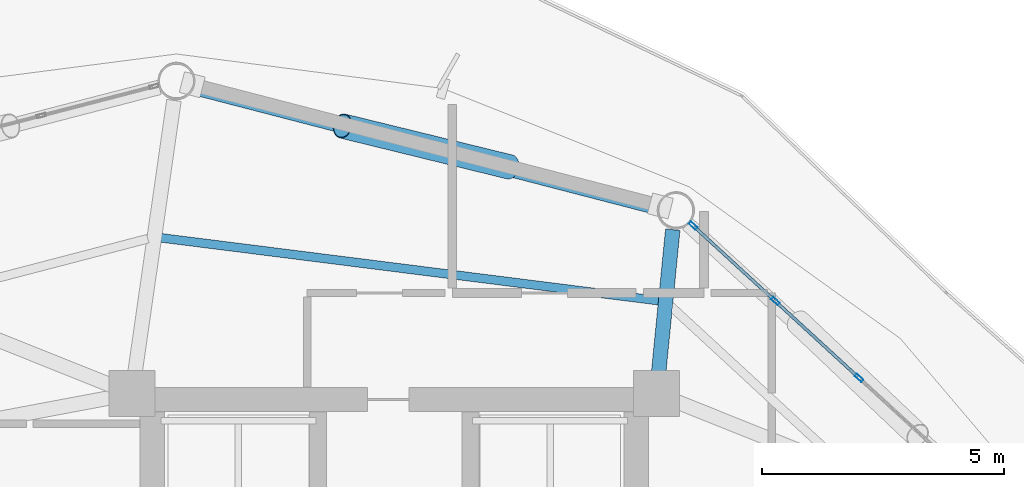
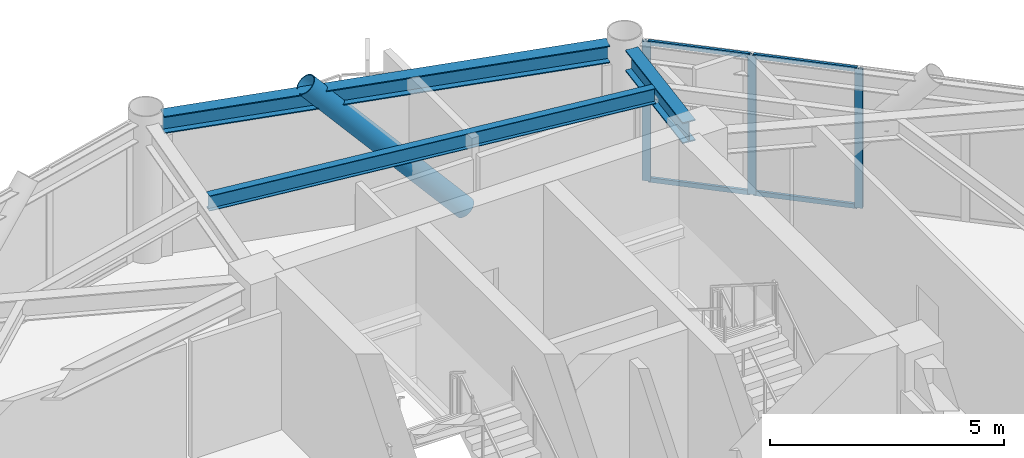
# One storey, part 16 of 23: 8 members, 3 beams, 1 element without a shape of its own.
"""IFC4 building model written with IfcOpenShell, lengths in metres."""

import ifcopenshell
import ifcopenshell.guid

model = None  # the IFC model being written
_history = None  # IfcOwnerHistory: only IFC2X3 demands one
_inside = {}  # id of a spatial element -> (the spatial element, [elements in it])
_under = {}  # id of a project, library or spatial element -> (it, [spatial elements below it])
_declared = {}  # id of a project -> (the project, [libraries it declares])
_typed = {}  # id of a type object -> (the type object, [elements of that type])
_made_of = {}  # id of a material, layer set ... -> (it, [elements and type objects made of it])


def new_model(schema):
    """Start an empty IFC model of exactly this schema.

    Asked for "IFC4X3", IfcOpenShell would pick the latest addendum, in which some entities
    have other attributes; the version numbers below select the first issue.
    IFC2X3 requires an IfcOwnerHistory on every rooted entity: one is made here for all.
    """
    global model, _history
    if schema == "IFC4X3":
        model = ifcopenshell.file(schema_version=(4, 3, 0, 0))
    else:
        model = ifcopenshell.file(schema=schema)
    _inside.clear()
    _under.clear()
    _declared.clear()
    _typed.clear()
    _made_of.clear()
    _history = None
    if model.schema == "IFC2X3":
        org = make("IfcOrganization", Name="unknown")
        user = make(
            "IfcPersonAndOrganization",
            ThePerson=make("IfcPerson", FamilyName="unknown"),
            TheOrganization=org,
        )
        app = make(
            "IfcApplication",
            ApplicationDeveloper=org,
            Version="unknown",
            ApplicationFullName="unknown",
            ApplicationIdentifier="unknown",
        )
        _history = make(
            "IfcOwnerHistory",
            OwningUser=user,
            OwningApplication=app,
            ChangeAction="ADDED",
            CreationDate=0,
        )
    return model


def make(cls, **values):
    """One entity of the class cls with the attributes given. An attribute that is None is left unset."""
    return model.create_entity(
        cls, **{name: value for name, value in values.items() if value is not None}
    )


def rooted(cls, **values):
    """An entity with a GlobalId (a new one), such as an element, a storey or a relation."""
    return make(cls, GlobalId=ifcopenshell.guid.new(), OwnerHistory=_history, **values)


def si_unit(unit_type, name, prefix=None):
    """IfcSIUnit, for example si_unit("LENGTHUNIT", "METRE", prefix="MILLI")."""
    return make("IfcSIUnit", UnitType=unit_type, Prefix=prefix, Name=name)


def assignment(units):
    """IfcUnitAssignment: the units of a project."""
    return None if units is None else make("IfcUnitAssignment", Units=units)


def point(xyz):
    """IfcCartesianPoint."""
    return None if xyz is None else make("IfcCartesianPoint", Coordinates=xyz)


def direction(xyz):
    """IfcDirection."""
    return None if xyz is None else make("IfcDirection", DirectionRatios=xyz)


def frame(location, z_axis=None, x_axis=None):
    """IfcAxis2Placement3D, a coordinate frame: its origin and axes. An axis left out is left unset."""
    return make(
        "IfcAxis2Placement3D",
        Location=point(location),
        Axis=direction(z_axis),
        RefDirection=direction(x_axis),
    )


def frame_2d(location, x_axis=None):
    """IfcAxis2Placement2D, a coordinate frame in the plane: its origin and x axis."""
    return make(
        "IfcAxis2Placement2D", Location=point(location), RefDirection=direction(x_axis)
    )


def origin():
    """The frame at (0, 0, 0) with its axes left unset."""
    return frame((0.0, 0.0, 0.0))


def origin_2d():
    """The frame at (0, 0) in the plane with its x axis left unset."""
    return frame_2d((0.0, 0.0))


def place(relative_to, where):
    """IfcLocalPlacement: puts the frame where relative to a parent placement (None: the world)."""
    return make(
        "IfcLocalPlacement", PlacementRelTo=relative_to, RelativePlacement=where
    )


def context(
    kind, dimensions, precision=None, world=None, true_north=None, identifier=None
):
    """IfcGeometricRepresentationContext, for example the 3D "Model" context."""
    return make(
        "IfcGeometricRepresentationContext",
        ContextIdentifier=identifier,
        ContextType=kind,
        CoordinateSpaceDimension=dimensions,
        Precision=precision,
        WorldCoordinateSystem=world,
        TrueNorth=true_north,
    )


def subcontext(parent, identifier, kind, view, scale=None):
    """IfcGeometricRepresentationSubContext, for example "Body" below "Model"."""
    return make(
        "IfcGeometricRepresentationSubContext",
        ContextIdentifier=identifier,
        ContextType=kind,
        ParentContext=parent,
        TargetScale=scale,
        TargetView=view,
    )


def project(units=None, contexts=None):
    """IfcProject with its units and contexts."""
    return rooted(
        "IfcProject",
        Name="project",
        RepresentationContexts=contexts,
        UnitsInContext=assignment(units),
    )


def spatial(cls, under=None, at=None, **own):
    """A site, building, storey or space (cls), placed at a placement, below another one or the project."""
    s = rooted(cls, ObjectPlacement=at, **own)
    if under is not None:
        _under.setdefault(under.id(), (under, []))[1].append(s)
    return s


def profile(cls, at=None, kind="AREA", **sizes):
    """A parametric profile (cls). Its sizes go by their IFC names, for example OverallWidth=200.0."""
    return make(cls, ProfileType=kind, Position=at, **sizes)


def hollow_rectangle(**sizes):
    """IfcRectangleHollowProfileDef."""
    return profile("IfcRectangleHollowProfileDef", **sizes)


def hollow_circle(**sizes):
    """IfcCircleHollowProfileDef."""
    return profile("IfcCircleHollowProfileDef", **sizes)


def i_section(**sizes):
    """IfcIShapeProfileDef."""
    return profile("IfcIShapeProfileDef", **sizes)


def extrude(swept, where, along, depth):
    """IfcExtrudedAreaSolid: the profile swept, set in the frame where, extruded along a direction by depth."""
    return make(
        "IfcExtrudedAreaSolid",
        SweptArea=swept,
        Position=where,
        ExtrudedDirection=direction(along),
        Depth=depth,
    )


def shape(context_of_items, identifier, shape_type, items):
    """IfcShapeRepresentation: the items that make up one representation, for example the "Body"."""
    return make(
        "IfcShapeRepresentation",
        ContextOfItems=context_of_items,
        RepresentationIdentifier=identifier,
        RepresentationType=shape_type,
        Items=items,
    )


def material(Name=None, Category=None):
    """IfcMaterial."""
    return make("IfcMaterial", Name=Name, Category=Category)


def layer(
    of_material, thickness, ventilated=None, Name=None, Category=None, Priority=None
):
    """IfcMaterialLayer: one layer of a wall or slab, of a material (None: an air gap)."""
    return make(
        "IfcMaterialLayer",
        Material=of_material,
        LayerThickness=thickness,
        IsVentilated=ventilated,
        Name=Name,
        Category=Category,
        Priority=Priority,
    )


def layer_set(layers, Name=None):
    """IfcMaterialLayerSet."""
    return make("IfcMaterialLayerSet", MaterialLayers=layers, LayerSetName=Name)


def material_profile(
    of_material, cross_section, Name=None, Category=None, Priority=None
):
    """IfcMaterialProfile: a cross section and its material."""
    return make(
        "IfcMaterialProfile",
        Name=Name,
        Material=of_material,
        Profile=cross_section,
        Priority=Priority,
        Category=Category,
    )


def profile_set(profiles, Name=None, composite=None):
    """IfcMaterialProfileSet."""
    return make(
        "IfcMaterialProfileSet",
        Name=Name,
        MaterialProfiles=profiles,
        CompositeProfile=composite,
    )


def made_of(thing, what):
    """Note that an element or type object is made of a material, layer set ...; save() writes the relation."""
    if what is not None:
        _made_of.setdefault(what.id(), (what, []))[1].append(thing)
    return thing


def type_object(cls, material=None, **own):
    """A type object (cls), such as IfcWallType, which elements share."""
    return made_of(rooted(cls, **own), material)


def element(
    cls,
    number,
    at=None,
    inside=None,
    cuts=None,
    type_object=None,
    material=None,
    context=None,
    identifier="Body",
    shape_type=None,
    held_by="IfcProductDefinitionShape",
    body=None,
    shapes=None,
    **own,
):
    """One element of the class cls, such as IfcWall. Its Tag is "e" and its number.

    at: its placement. inside: the storey or other place that contains it. cuts: it is an
    opening in that element (IfcRelVoidsElement). A single representation is given by context,
    identifier, shape_type and body (its items); several are given by shapes. held_by: the class
    of the entity that holds the representations. save() writes the other relations.
    """
    e = rooted(cls, Tag="e%d" % number, ObjectPlacement=at, **own)
    if body is not None:
        shapes = [shape(context, identifier, shape_type, body)]
    if shapes is not None:
        e.Representation = make(held_by, Representations=shapes)
    if inside is not None:
        _inside.setdefault(inside.id(), (inside, []))[1].append(e)
    if cuts is not None:
        rooted(
            "IfcRelVoidsElement", RelatingBuildingElement=cuts, RelatedOpeningElement=e
        )
    if type_object is not None:
        _typed.setdefault(type_object.id(), (type_object, []))[1].append(e)
    return made_of(e, material)


def aggregate(whole, parts):
    """IfcRelAggregates: a whole, such as a stair, and the parts it consists of."""
    return rooted("IfcRelAggregates", RelatingObject=whole, RelatedObjects=parts)


def save(model, path):
    """Write the relations noted so far, then the file.

    IfcRelAggregates (storeys below a building ...), IfcRelContainedInSpatialStructure (elements
    in a storey), IfcRelDefinesByType, IfcRelAssociatesMaterial and IfcRelDeclares: one each for
    every whole, place, type object, material and project.
    """
    for whole, parts in _under.values():
        aggregate(whole, parts)
    for where, things in _inside.values():
        rooted(
            "IfcRelContainedInSpatialStructure",
            RelatedElements=things,
            RelatingStructure=where,
        )
    for kind, things in _typed.values():
        rooted("IfcRelDefinesByType", RelatedObjects=things, RelatingType=kind)
    for what, things in _made_of.values():
        rooted("IfcRelAssociatesMaterial", RelatedObjects=things, RelatingMaterial=what)
    for by, libraries in _declared.values():
        rooted("IfcRelDeclares", RelatingContext=by, RelatedDefinitions=libraries)
    model.write(path)


model = new_model("IFC4")

# Units and contexts
model_context = context("Model", 3, precision=1e-05, world=origin(), true_north=direction((0.0, 1.0)))
body_context = subcontext(model_context, "Body", "Model", "MODEL_VIEW")
ifc_project = project(units=[si_unit("LENGTHUNIT", "METRE"), si_unit("AREAUNIT", "SQUARE_METRE"), si_unit("VOLUMEUNIT", "CUBIC_METRE"), si_unit("PLANEANGLEUNIT", "RADIAN"), si_unit("MASSUNIT", "GRAM", prefix="KILO")], contexts=[model_context])

# Site, building, storey
site_placement = place(None, origin())
site = spatial("IfcSite", under=ifc_project, at=site_placement, CompositionType="ELEMENT")
building_placement = place(site_placement, origin())
building = spatial("IfcBuilding", under=site, at=building_placement, Name="Varnakorn Sky Granary", CompositionType="ELEMENT")
storey_placement = place(building_placement, frame((0.0, 0.0, 150.0)))
storey = spatial("IfcBuildingStorey", under=building, at=storey_placement, Name="L37", CompositionType="ELEMENT", Elevation=150.0)

# Beams
ifc_material_1 = material(Name="Steel S355JR", Category="steel")
ifc_material_profile_1 = material_profile(ifc_material_1, i_section(OverallWidth=0.300048828125, OverallDepth=0.550048828125, WebThickness=0.014892578125, FlangeThickness=0.029052734375, at=origin_2d()), Name="HE 550 B")
ifc_profile_set_1 = profile_set([ifc_material_profile_1], Name="Steel S355JR")
beam_type_1 = type_object("IfcBeamType", Name="BM-RAD-Z3", PredefinedType="BEAM", material=ifc_profile_set_1)
beam_1_placement = place(storey_placement, frame((8.461181640625, 13.0380859375, 3.364990234375), z_axis=(0.098410238844, 0.995145931455, 0.0), x_axis=(-0.995145931455, 0.098410238844, 0.0)))
element("IfcBeam", 1, at=beam_1_placement, inside=storey, type_object=beam_type_1, Name="Radial Floor Girder RG03 L37", PredefinedType="BEAM", context=body_context, shape_type="SweptSolid", body=[
    extrude(i_section(OverallWidth=0.300048828125, OverallDepth=0.550048828125, WebThickness=0.014892578125, FlangeThickness=0.029052734375, at=origin_2d()), origin(), (0.0, 0.0, 1.0), 2.984375),
])
ifc_material_profile_2 = material_profile(ifc_material_1, i_section(OverallWidth=0.179931640625, OverallDepth=0.39990234375, WebThickness=0.008544921875, FlangeThickness=0.013427734375, at=origin_2d()), Name="IPE 400")
ifc_profile_set_2 = profile_set([ifc_material_profile_2], Name="Steel S355JR")
beam_type_2 = type_object("IfcBeamType", Name="BM-SEC-Z3", PredefinedType="BEAM", material=ifc_profile_set_2)
beam_2_placement = place(storey_placement, frame((8.46923828125, 14.54052734375, 3.43994140625), z_axis=(-0.992125712485, 0.125246040364, 0.0), x_axis=(-0.125246040364, -0.992125712485, 0.0)))
element("IfcBeam", 2, at=beam_2_placement, inside=storey, type_object=beam_type_2, Name="Secondary Floor Chord Beam MSB03 L37", PredefinedType="BEAM", context=body_context, shape_type="SweptSolid", body=[
    extrude(i_section(OverallWidth=0.179931640625, OverallDepth=0.39990234375, WebThickness=0.008544921875, FlangeThickness=0.013427734375, at=origin_2d()), origin(), (0.0, 0.0, 1.0), 10.3681640625),
])
ifc_material_profile_3 = material_profile(ifc_material_1, i_section(OverallWidth=0.300048828125, OverallDepth=0.449951171875, WebThickness=0.013916015625, FlangeThickness=0.02587890625, at=origin_2d()), Name="HE 450 B")
ifc_profile_set_3 = profile_set([ifc_material_profile_3], Name="Steel S355JR")
beam_type_3 = type_object("IfcBeamType", Name="BM-SPD-Z3", PredefinedType="SPANDREL", material=ifc_profile_set_3)
beam_3_placement = place(storey_placement, frame((8.436767578125, 16.464111328125, 3.4150390625), z_axis=(-0.968002445403, 0.250940761324, 0.0), x_axis=(-0.250940761324, -0.968002445403, 0.0)))
element("IfcBeam", 3, at=beam_3_placement, inside=storey, type_object=beam_type_3, Name="Perimeter Spandrel Ring Beam RB03 L37", PredefinedType="SPANDREL", context=body_context, shape_type="SweptSolid", body=[
    extrude(i_section(OverallWidth=0.300048828125, OverallDepth=0.449951171875, WebThickness=0.013916015625, FlangeThickness=0.02587890625, at=origin_2d()), origin(), (0.0, 0.0, 1.0), 9.899169921875),
])

# Curtain wall, members
ifc_material_2 = material(Name="Anodised Bronze Aluminium Alloy 6063-T6", Category="aluminium")
ifc_layer = layer(ifc_material_2, 0.179931640625, Name="Anodised Bronze Aluminium Alloy 6063-T6")
ifc_layer_set = layer_set([ifc_layer], Name="Anodised Bronze Aluminium Alloy 6063-T6")
curtain_wall_type = type_object("IfcCurtainWallType", Name="CW-FRM-2", PredefinedType="USERDEFINED", material=ifc_layer_set)
curtain_wall_placement = place(storey_placement, origin())
curtain_wall = element("IfcCurtainWall", 4, at=curtain_wall_placement, inside=storey, type_object=curtain_wall_type, Name="Unitised Curtain Wall CW4 CW-L37-B02", ObjectType="CURTAIN WALL", PredefinedType="USERDEFINED")
ifc_material_profile_4 = material_profile(ifc_material_2, hollow_rectangle(XDim=0.070068359375, YDim=0.18505859375, WallThickness=0.00390625, at=origin_2d()), Name="ALU MULL 70x185")
ifc_profile_set_4 = profile_set([ifc_material_profile_4], Name="Anodised Bronze Aluminium Alloy 6063-T6")
member_type_1 = type_object("IfcMemberType", Name="CW-FRM-2-MULL", PredefinedType="MULLION", material=ifc_profile_set_4)
member_1_placement = place(storey_placement, frame((9.1748046875, 16.092041015625, 0.0), z_axis=(0.0, 0.0, 1.0), x_axis=(0.676226227357, 0.736694027012, 0.0)))
member_1 = element("IfcMember", 5, at=member_1_placement, type_object=member_type_1, Name="CW4 mullion 1", PredefinedType="MULLION", context=body_context, shape_type="SweptSolid", body=[
    extrude(hollow_rectangle(XDim=0.070068359375, YDim=0.18505859375, WallThickness=0.00390625, at=origin_2d()), origin(), (0.0, 0.0, 1.0), 3.639892578125),
])
member_2_placement = place(storey_placement, frame((10.8759765625, 14.5302734375, 0.0), z_axis=(0.0, 0.0, 1.0), x_axis=(0.676226227357, 0.736694027012, 0.0)))
member_2 = element("IfcMember", 6, at=member_2_placement, type_object=member_type_1, Name="CW4 mullion 2", PredefinedType="MULLION", context=body_context, shape_type="SweptSolid", body=[
    extrude(hollow_rectangle(XDim=0.070068359375, YDim=0.18505859375, WallThickness=0.00390625, at=origin_2d()), origin(), (0.0, 0.0, 1.0), 3.639892578125),
])
member_3_placement = place(storey_placement, frame((12.602783203125, 12.945068359375, 0.0), z_axis=(0.0, 0.0, 1.0), x_axis=(0.676226227357, 0.736694027012, 0.0)))
member_3 = element("IfcMember", 7, at=member_3_placement, type_object=member_type_1, Name="CW4 mullion 3", PredefinedType="MULLION", context=body_context, shape_type="SweptSolid", body=[
    extrude(hollow_rectangle(XDim=0.070068359375, YDim=0.18505859375, WallThickness=0.00390625, at=origin_2d()), origin(), (0.0, 0.0, 1.0), 3.639892578125),
])
ifc_material_profile_5 = material_profile(ifc_material_2, hollow_rectangle(XDim=0.06494140625, YDim=0.1201171875, WallThickness=0.00341796875, at=origin_2d()), Name="ALU TRAN 65x120")
ifc_profile_set_5 = profile_set([ifc_material_profile_5], Name="Anodised Bronze Aluminium Alloy 6063-T6")
member_type_2 = type_object("IfcMemberType", Name="CW-FRM-2-TRAN", PredefinedType="USERDEFINED", material=ifc_profile_set_5)
member_4_placement = place(storey_placement, frame((9.200439453125, 16.068359375, 0.032470703125), z_axis=(0.736660671325, -0.676262563893, 0.0), x_axis=(0.676262563893, 0.736660671325, 0.0)))
member_4 = element("IfcMember", 8, at=member_4_placement, type_object=member_type_2, Name="CW4 transom 1.1", ObjectType="TRANSOM", PredefinedType="USERDEFINED", context=body_context, shape_type="SweptSolid", body=[
    extrude(hollow_rectangle(XDim=0.06494140625, YDim=0.1201171875, WallThickness=0.00341796875, at=origin_2d()), origin(), (0.0, 0.0, 1.0), 2.2392578125),
])
member_5_placement = place(storey_placement, frame((9.200439453125, 16.068359375, 3.607421875), z_axis=(0.736660671325, -0.676262563893, 0.0), x_axis=(0.676262563893, 0.736660671325, 0.0)))
member_5 = element("IfcMember", 9, at=member_5_placement, type_object=member_type_2, Name="CW4 transom 1.2", ObjectType="TRANSOM", PredefinedType="USERDEFINED", context=body_context, shape_type="SweptSolid", body=[
    extrude(hollow_rectangle(XDim=0.06494140625, YDim=0.1201171875, WallThickness=0.00341796875, at=origin_2d()), origin(), (0.0, 0.0, 1.0), 2.2392578125),
])
member_6_placement = place(storey_placement, frame((10.901611328125, 14.506591796875, 0.032470703125), z_axis=(0.736730679074, -0.676186295714, 0.0), x_axis=(0.676186295714, 0.736730679074, 0.0)))
member_6 = element("IfcMember", 10, at=member_6_placement, type_object=member_type_2, Name="CW4 transom 2.1", ObjectType="TRANSOM", PredefinedType="USERDEFINED", context=body_context, shape_type="SweptSolid", body=[
    extrude(hollow_rectangle(XDim=0.06494140625, YDim=0.1201171875, WallThickness=0.00341796875, at=origin_2d()), origin(), (0.0, 0.0, 1.0), 2.274169921875),
])
member_7_placement = place(storey_placement, frame((10.901611328125, 14.506591796875, 3.607421875), z_axis=(0.736730679074, -0.676186295714, 0.0), x_axis=(0.676186295714, 0.736730679074, 0.0)))
member_7 = element("IfcMember", 11, at=member_7_placement, type_object=member_type_2, Name="CW4 transom 2.2", ObjectType="TRANSOM", PredefinedType="USERDEFINED", context=body_context, shape_type="SweptSolid", body=[
    extrude(hollow_rectangle(XDim=0.06494140625, YDim=0.1201171875, WallThickness=0.00341796875, at=origin_2d()), origin(), (0.0, 0.0, 1.0), 2.274169921875),
])
aggregate(curtain_wall, [member_1, member_2, member_3, member_4, member_5, member_6, member_7])

# Member
ifc_material_3 = material(Name="Steel S460M", Category="steel")
ifc_material_profile_6 = material_profile(ifc_material_3, hollow_circle(Radius=0.25390625, WallThickness=0.01806640625, at=origin_2d()), Name="CHS 508x18")
ifc_profile_set_6 = profile_set([ifc_material_profile_6], Name="Steel S460M")
member_type_3 = type_object("IfcMemberType", Name="MB-DIAG-T2", PredefinedType="BRACE", material=ifc_profile_set_6)
member_8_placement = place(storey_placement, frame((5.3828125, 17.30517578125, -0.1298828125), z_axis=(-0.652445497099, 0.159777862701, 0.740800855768), x_axis=(-0.237862117096, -0.971298930943, 0.0)))
element("IfcMember", 12, at=member_8_placement, inside=storey, type_object=member_type_3, Name="Perimeter CHS Diagrid Brace DG03 L37", PredefinedType="BRACE", context=body_context, shape_type="SweptSolid", body=[
    extrude(hollow_circle(Radius=0.25390625, WallThickness=0.01806640625, at=origin_2d()), origin(), (0.0, 0.0, 1.0), 5.29150390625),
])

save(model, "model.ifc")
